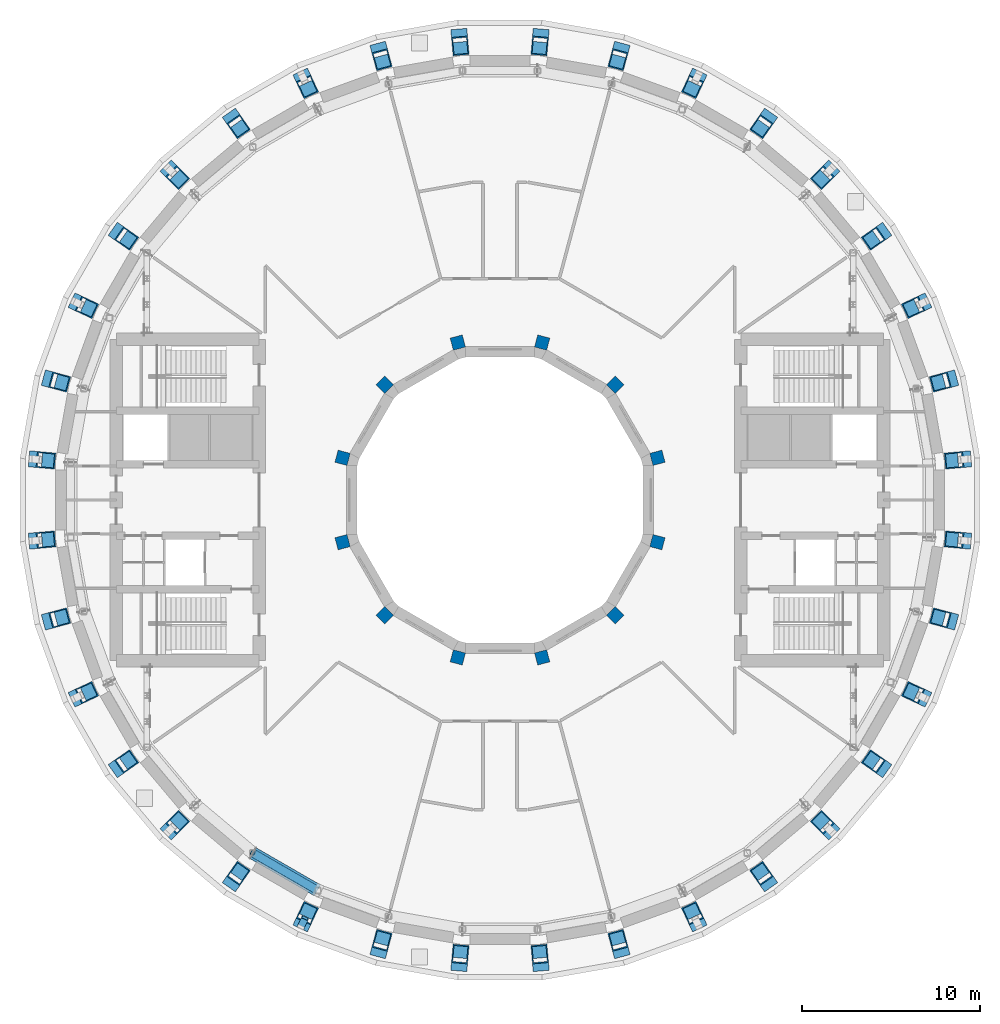
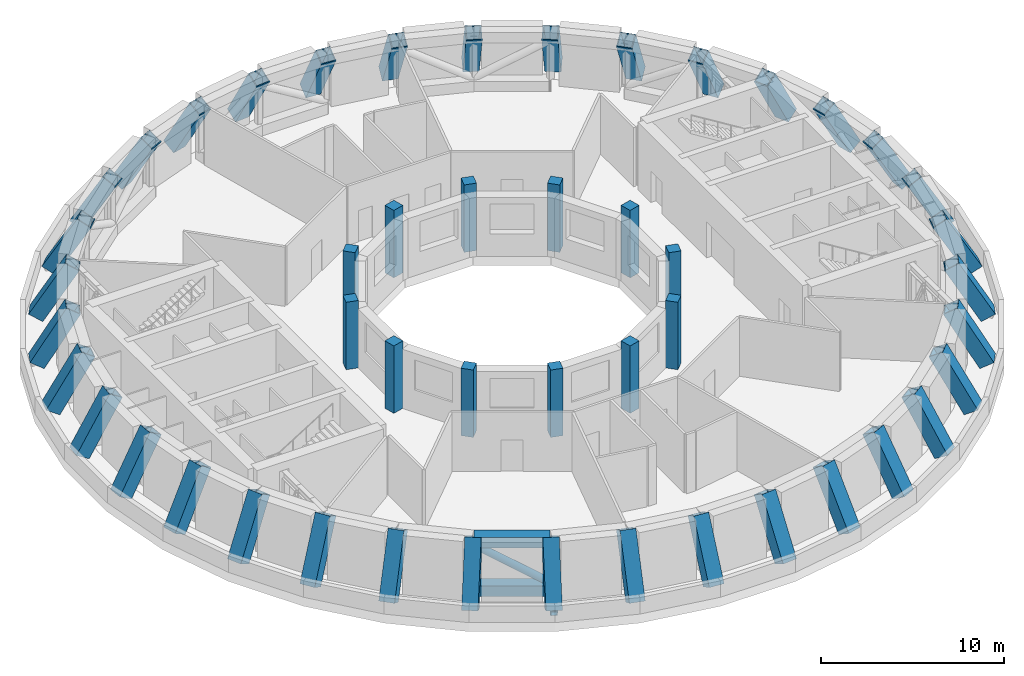
# One storey, part 1 of 20: 48 columns, 3 members, 1 beam.
"""IFC4 building model written with IfcOpenShell, lengths in metres."""

from ifc_helpers import new_model, si_unit, direction, frame, origin, origin_2d, place, context, subcontext, project, spatial, rectangle, hollow_rectangle, hollow_circle, extrude, material, material_profile, profile_set, type_object, element, save


model = new_model("IFC4")

# Units and contexts
model_context = context("Model", 3, precision=1e-05, world=origin(), true_north=direction((0.0, 1.0)))
body_context = subcontext(model_context, "Body", "Model", "MODEL_VIEW")
ifc_project = project(units=[si_unit("LENGTHUNIT", "METRE"), si_unit("AREAUNIT", "SQUARE_METRE"), si_unit("VOLUMEUNIT", "CUBIC_METRE"), si_unit("PLANEANGLEUNIT", "RADIAN"), si_unit("MASSUNIT", "GRAM", prefix="KILO")], contexts=[model_context])

# Site, building, storey
site_placement = place(None, origin())
site = spatial("IfcSite", under=ifc_project, at=site_placement, CompositionType="ELEMENT")
building_placement = place(site_placement, origin())
building = spatial("IfcBuilding", under=site, at=building_placement, Name="Saqina Gate Tower", CompositionType="ELEMENT")
storey_placement = place(building_placement, frame((0.0, 0.0, 151.300048828125)))
storey = spatial("IfcBuildingStorey", under=building, at=storey_placement, Name="L43", CompositionType="ELEMENT", Elevation=151.300048828125)

# Columns
ifc_material_1 = material(Name="Concrete C60/75", Category="concrete")
ifc_material_profile_1 = material_profile(ifc_material_1, rectangle(XDim=0.699951171875, YDim=0.699951171875, at=origin_2d()), Name="RC 700x700")
ifc_profile_set_1 = profile_set([ifc_material_profile_1], Name="Concrete C60/75")
column_type_1 = type_object("IfcColumnType", Name="STR-COL-IN-C", PredefinedType="COLUMN", material=ifc_profile_set_1)
for number, where, z_axis, x_axis, name in (
    (1, (8.821044921875, 2.363525390625, 0.0), (0.0, 0.0, 1.0), (0.965925826289, 0.258819045103, 0.0), "L43-ICL01"),
    (2, (6.45751953125, 6.45751953125, 0.0), (0.0, 0.0, 1.0), (0.707106781187, 0.707106781187, 0.0), "L43-ICL02"),
    (3, (2.363525390625, 8.821044921875, 0.0), (0.0, 0.0, 1.0), (0.258819045103, 0.965925826289, 0.0), "L43-ICL03"),
    (4, (-2.363525390625, 8.821044921875, 0.0), (0.0, 0.0, 1.0), (-0.258819045103, 0.965925826289, 0.0), "L43-ICL04"),
    (5, (-6.45751953125, 6.45751953125, 0.0), (0.0, 0.0, 1.0), (-0.707106781187, 0.707106781187, 0.0), "L43-ICL05"),
    (6, (-8.821044921875, 2.363525390625, 0.0), (0.0, 0.0, 1.0), (-0.965925826289, 0.258819045103, 0.0), "L43-ICL06"),
    (7, (-8.821044921875, -2.363525390625, 0.0), (0.0, 0.0, 1.0), (-0.965925826289, -0.258819045103, 0.0), "L43-ICL07"),
    (8, (-6.45751953125, -6.45751953125, 0.0), (0.0, 0.0, 1.0), (-0.707106781187, -0.707106781187, 0.0), "L43-ICL08"),
    (9, (-2.363525390625, -8.821044921875, 0.0), (0.0, 0.0, 1.0), (-0.258819045103, -0.965925826289, 0.0), "L43-ICL09"),
    (10, (2.363525390625, -8.821044921875, 0.0), (0.0, 0.0, 1.0), (0.258819045103, -0.965925826289, 0.0), "L43-ICL10"),
    (11, (6.45751953125, -6.45751953125, 0.0), (0.0, 0.0, 1.0), (0.707106781187, -0.707106781187, 0.0), "L43-ICL11"),
    (12, (8.821044921875, -2.363525390625, 0.0), (0.0, 0.0, 1.0), (0.965925826289, -0.258819045103, 0.0), "L43-ICL12"),
):
    element("IfcColumn", number, at=place(storey_placement, frame(where, z_axis=z_axis, x_axis=x_axis)), inside=storey, type_object=column_type_1, Name=name, PredefinedType="COLUMN", context=body_context, shape_type="SweptSolid", body=[
        extrude(rectangle(XDim=0.699951171875, YDim=0.699951171875, at=origin_2d()), origin(), (0.0, 0.0, 1.0), 4.5),
    ])
ifc_material_2 = material(Name="Steel S460", Category="steel")
ifc_material_profile_2 = material_profile(ifc_material_2, hollow_rectangle(XDim=0.89990234375, YDim=0.89990234375, WallThickness=0.06005859375, at=origin_2d()), Name="BOX 900x900x60")
ifc_profile_set_2 = profile_set([ifc_material_profile_2], Name="Steel S460")
column_type_2 = type_object("IfcColumnType", Name="STR-INCLINED COLUMN L43-BOX 900x900x60", PredefinedType="COLUMN", material=ifc_profile_set_2)
for number, where, z_axis, x_axis, name in (
    (13, (26.000732421875, 2.274658203125, 0.22314453125), (-0.493869281943, -0.043208267039, 0.868461961177), (0.087156350505, -0.99619464492, 0.0), "INCLINED COLUMN L43 01"),
    (14, (25.210693359375, 6.755126953125, 0.22314453125), (-0.478862901174, -0.128293864589, 0.868464740901), (0.258786931944, -0.965934430412, 0.0), "INCLINED COLUMN L43 02"),
):
    element("IfcColumn", number, at=place(storey_placement, frame(where, z_axis=z_axis, x_axis=x_axis)), inside=storey, type_object=column_type_2, Name=name, PredefinedType="COLUMN", context=body_context, shape_type="SweptSolid", body=[
        extrude(hollow_rectangle(XDim=0.89990234375, YDim=0.89990234375, WallThickness=0.06005859375, at=origin_2d()), origin(), (0.0, 0.0, 1.0), 4.034423828125),
    ])
column_1_placement = place(storey_placement, frame((23.654541015625, 11.0302734375, 0.22314453125), z_axis=(-0.449277787542, -0.20950965793, 0.868478654231), x_axis=(0.42263149237, -0.906301617375, 0.0)))
element("IfcColumn", 15, at=column_1_placement, inside=storey, type_object=column_type_2, Name="INCLINED COLUMN L43 03", PredefinedType="COLUMN", context=body_context, shape_type="SweptSolid", body=[
    extrude(hollow_rectangle(XDim=0.89990234375, YDim=0.89990234375, WallThickness=0.06005859375, at=origin_2d()), origin(), (0.0, 0.0, 1.0), 4.0341796875),
])
for number, where, z_axis, x_axis, name in (
    (16, (21.3798828125, 14.970458984375, 0.22314453125), (-0.406116637766, -0.284360316028, 0.868451775977), (0.573568836472, -0.819157365729, 0.0), "INCLINED COLUMN L43 04"),
    (17, (18.45556640625, 18.45556640625, 0.22314453125), (-0.35056407526, -0.35056407526, 0.868452450209), (0.707106781187, -0.707106781187, 0.0), "INCLINED COLUMN L43 05"),
    (18, (14.970458984375, 21.3798828125, 0.22314453125), (-0.284360316028, -0.406116637766, 0.868451775977), (0.819157365729, -0.573568836472, 0.0), "INCLINED COLUMN L43 06"),
):
    element("IfcColumn", number, at=place(storey_placement, frame(where, z_axis=z_axis, x_axis=x_axis)), inside=storey, type_object=column_type_2, Name=name, PredefinedType="COLUMN", context=body_context, shape_type="SweptSolid", body=[
        extrude(hollow_rectangle(XDim=0.89990234375, YDim=0.89990234375, WallThickness=0.06005859375, at=origin_2d()), origin(), (0.0, 0.0, 1.0), 4.034423828125),
    ])
column_2_placement = place(storey_placement, frame((11.0302734375, 23.654541015625, 0.22314453125), z_axis=(-0.20950965793, -0.449277787542, 0.868478654231), x_axis=(0.906301617375, -0.42263149237, 0.0)))
element("IfcColumn", 19, at=column_2_placement, inside=storey, type_object=column_type_2, Name="INCLINED COLUMN L43 07", PredefinedType="COLUMN", context=body_context, shape_type="SweptSolid", body=[
    extrude(hollow_rectangle(XDim=0.89990234375, YDim=0.89990234375, WallThickness=0.06005859375, at=origin_2d()), origin(), (0.0, 0.0, 1.0), 4.0341796875),
])
for number, where, z_axis, x_axis, name in (
    (20, (6.755126953125, 25.210693359375, 0.22314453125), (-0.128293864589, -0.478862901174, 0.868464740901), (0.965934430412, -0.258786931944, 0.0), "INCLINED COLUMN L43 08"),
    (21, (2.274658203125, 26.000732421875, 0.22314453125), (-0.043208267039, -0.493869281943, 0.868461961177), (0.99619464492, -0.087156350505, 0.0), "INCLINED COLUMN L43 09"),
    (22, (-2.274658203125, 26.000732421875, 0.22314453125), (0.043208267039, -0.493869281943, 0.868461961177), (0.99619464492, 0.087156350505, 0.0), "INCLINED COLUMN L43 10"),
    (23, (-6.755126953125, 25.210693359375, 0.22314453125), (0.128293864589, -0.478862901174, 0.868464740901), (0.965934430412, 0.258786931944, 0.0), "INCLINED COLUMN L43 11"),
):
    element("IfcColumn", number, at=place(storey_placement, frame(where, z_axis=z_axis, x_axis=x_axis)), inside=storey, type_object=column_type_2, Name=name, PredefinedType="COLUMN", context=body_context, shape_type="SweptSolid", body=[
        extrude(hollow_rectangle(XDim=0.89990234375, YDim=0.89990234375, WallThickness=0.06005859375, at=origin_2d()), origin(), (0.0, 0.0, 1.0), 4.034423828125),
    ])
column_3_placement = place(storey_placement, frame((-11.0302734375, 23.654541015625, 0.22314453125), z_axis=(0.20950965793, -0.449277787542, 0.868478654231), x_axis=(0.906301617375, 0.42263149237, 0.0)))
element("IfcColumn", 24, at=column_3_placement, inside=storey, type_object=column_type_2, Name="INCLINED COLUMN L43 12", PredefinedType="COLUMN", context=body_context, shape_type="SweptSolid", body=[
    extrude(hollow_rectangle(XDim=0.89990234375, YDim=0.89990234375, WallThickness=0.06005859375, at=origin_2d()), origin(), (0.0, 0.0, 1.0), 4.0341796875),
])
for number, where, z_axis, x_axis, name in (
    (25, (-14.970458984375, 21.3798828125, 0.22314453125), (0.284360316028, -0.406116637766, 0.868451775977), (0.819157365729, 0.573568836472, 0.0), "INCLINED COLUMN L43 13"),
    (26, (-18.45556640625, 18.45556640625, 0.22314453125), (0.35056407526, -0.35056407526, 0.868452450209), (0.707106781187, 0.707106781187, 0.0), "INCLINED COLUMN L43 14"),
    (27, (-21.3798828125, 14.970458984375, 0.22314453125), (0.406116637766, -0.284360316028, 0.868451775977), (0.573568836472, 0.819157365729, 0.0), "INCLINED COLUMN L43 15"),
):
    element("IfcColumn", number, at=place(storey_placement, frame(where, z_axis=z_axis, x_axis=x_axis)), inside=storey, type_object=column_type_2, Name=name, PredefinedType="COLUMN", context=body_context, shape_type="SweptSolid", body=[
        extrude(hollow_rectangle(XDim=0.89990234375, YDim=0.89990234375, WallThickness=0.06005859375, at=origin_2d()), origin(), (0.0, 0.0, 1.0), 4.034423828125),
    ])
column_4_placement = place(storey_placement, frame((-23.654541015625, 11.0302734375, 0.22314453125), z_axis=(0.449277787542, -0.20950965793, 0.868478654231), x_axis=(0.42263149237, 0.906301617375, 0.0)))
element("IfcColumn", 28, at=column_4_placement, inside=storey, type_object=column_type_2, Name="INCLINED COLUMN L43 16", PredefinedType="COLUMN", context=body_context, shape_type="SweptSolid", body=[
    extrude(hollow_rectangle(XDim=0.89990234375, YDim=0.89990234375, WallThickness=0.06005859375, at=origin_2d()), origin(), (0.0, 0.0, 1.0), 4.0341796875),
])
for number, where, z_axis, x_axis, name in (
    (29, (-25.210693359375, 6.755126953125, 0.22314453125), (0.478862901174, -0.128293864589, 0.868464740901), (0.258786931944, 0.965934430412, 0.0), "INCLINED COLUMN L43 17"),
    (30, (-26.000732421875, 2.274658203125, 0.22314453125), (0.493869281943, -0.043208267039, 0.868461961177), (0.087156350505, 0.99619464492, 0.0), "INCLINED COLUMN L43 18"),
    (31, (-26.000732421875, -2.274658203125, 0.22314453125), (0.493869281943, 0.043208267039, 0.868461961177), (-0.087156350505, 0.99619464492, 0.0), "INCLINED COLUMN L43 19"),
    (32, (-25.210693359375, -6.755126953125, 0.22314453125), (0.478862901174, 0.128293864589, 0.868464740901), (-0.258786931944, 0.965934430412, 0.0), "INCLINED COLUMN L43 20"),
):
    element("IfcColumn", number, at=place(storey_placement, frame(where, z_axis=z_axis, x_axis=x_axis)), inside=storey, type_object=column_type_2, Name=name, PredefinedType="COLUMN", context=body_context, shape_type="SweptSolid", body=[
        extrude(hollow_rectangle(XDim=0.89990234375, YDim=0.89990234375, WallThickness=0.06005859375, at=origin_2d()), origin(), (0.0, 0.0, 1.0), 4.034423828125),
    ])
column_5_placement = place(storey_placement, frame((-23.654541015625, -11.0302734375, 0.22314453125), z_axis=(0.449277787542, 0.20950965793, 0.868478654231), x_axis=(-0.42263149237, 0.906301617375, 0.0)))
element("IfcColumn", 33, at=column_5_placement, inside=storey, type_object=column_type_2, Name="INCLINED COLUMN L43 21", PredefinedType="COLUMN", context=body_context, shape_type="SweptSolid", body=[
    extrude(hollow_rectangle(XDim=0.89990234375, YDim=0.89990234375, WallThickness=0.06005859375, at=origin_2d()), origin(), (0.0, 0.0, 1.0), 4.0341796875),
])
for number, where, z_axis, x_axis, name in (
    (34, (-21.3798828125, -14.970458984375, 0.22314453125), (0.406116637766, 0.284360316028, 0.868451775977), (-0.573568836472, 0.819157365729, 0.0), "INCLINED COLUMN L43 22"),
    (35, (-18.45556640625, -18.45556640625, 0.22314453125), (0.35056407526, 0.35056407526, 0.868452450209), (-0.707106781187, 0.707106781187, 0.0), "INCLINED COLUMN L43 23"),
    (36, (-14.970458984375, -21.3798828125, 0.22314453125), (0.284360316028, 0.406116637766, 0.868451775977), (-0.819157365729, 0.573568836472, 0.0), "INCLINED COLUMN L43 24"),
):
    element("IfcColumn", number, at=place(storey_placement, frame(where, z_axis=z_axis, x_axis=x_axis)), inside=storey, type_object=column_type_2, Name=name, PredefinedType="COLUMN", context=body_context, shape_type="SweptSolid", body=[
        extrude(hollow_rectangle(XDim=0.89990234375, YDim=0.89990234375, WallThickness=0.06005859375, at=origin_2d()), origin(), (0.0, 0.0, 1.0), 4.034423828125),
    ])
column_6_placement = place(storey_placement, frame((-11.0302734375, -23.654541015625, 0.22314453125), z_axis=(0.20950965793, 0.449277787542, 0.868478654231), x_axis=(-0.906301617375, 0.42263149237, 0.0)))
element("IfcColumn", 37, at=column_6_placement, inside=storey, type_object=column_type_2, Name="INCLINED COLUMN L43 25", PredefinedType="COLUMN", context=body_context, shape_type="SweptSolid", body=[
    extrude(hollow_rectangle(XDim=0.89990234375, YDim=0.89990234375, WallThickness=0.06005859375, at=origin_2d()), origin(), (0.0, 0.0, 1.0), 4.0341796875),
])
for number, where, z_axis, x_axis, name in (
    (38, (-6.755126953125, -25.210693359375, 0.22314453125), (0.128293864589, 0.478862901174, 0.868464740901), (-0.965934430412, 0.258786931944, 0.0), "INCLINED COLUMN L43 26"),
    (39, (-2.274658203125, -26.000732421875, 0.22314453125), (0.043208267039, 0.493869281943, 0.868461961177), (-0.99619464492, 0.087156350505, 0.0), "INCLINED COLUMN L43 27"),
    (40, (2.274658203125, -26.000732421875, 0.22314453125), (-0.043208267039, 0.493869281943, 0.868461961177), (-0.99619464492, -0.087156350505, 0.0), "INCLINED COLUMN L43 28"),
    (41, (6.755126953125, -25.210693359375, 0.22314453125), (-0.128293864589, 0.478862901174, 0.868464740901), (-0.965934430412, -0.258786931944, 0.0), "INCLINED COLUMN L43 29"),
):
    element("IfcColumn", number, at=place(storey_placement, frame(where, z_axis=z_axis, x_axis=x_axis)), inside=storey, type_object=column_type_2, Name=name, PredefinedType="COLUMN", context=body_context, shape_type="SweptSolid", body=[
        extrude(hollow_rectangle(XDim=0.89990234375, YDim=0.89990234375, WallThickness=0.06005859375, at=origin_2d()), origin(), (0.0, 0.0, 1.0), 4.034423828125),
    ])
column_7_placement = place(storey_placement, frame((11.0302734375, -23.654541015625, 0.22314453125), z_axis=(-0.20950965793, 0.449277787542, 0.868478654231), x_axis=(-0.906301617375, -0.42263149237, 0.0)))
element("IfcColumn", 42, at=column_7_placement, inside=storey, type_object=column_type_2, Name="INCLINED COLUMN L43 30", PredefinedType="COLUMN", context=body_context, shape_type="SweptSolid", body=[
    extrude(hollow_rectangle(XDim=0.89990234375, YDim=0.89990234375, WallThickness=0.06005859375, at=origin_2d()), origin(), (0.0, 0.0, 1.0), 4.0341796875),
])
for number, where, z_axis, x_axis, name in (
    (43, (14.970458984375, -21.3798828125, 0.22314453125), (-0.284360316028, 0.406116637766, 0.868451775977), (-0.819157365729, -0.573568836472, 0.0), "INCLINED COLUMN L43 31"),
    (44, (18.45556640625, -18.45556640625, 0.22314453125), (-0.35056407526, 0.35056407526, 0.868452450209), (-0.707106781187, -0.707106781187, 0.0), "INCLINED COLUMN L43 32"),
    (45, (21.3798828125, -14.970458984375, 0.22314453125), (-0.406116637766, 0.284360316028, 0.868451775977), (-0.573568836472, -0.819157365729, 0.0), "INCLINED COLUMN L43 33"),
):
    element("IfcColumn", number, at=place(storey_placement, frame(where, z_axis=z_axis, x_axis=x_axis)), inside=storey, type_object=column_type_2, Name=name, PredefinedType="COLUMN", context=body_context, shape_type="SweptSolid", body=[
        extrude(hollow_rectangle(XDim=0.89990234375, YDim=0.89990234375, WallThickness=0.06005859375, at=origin_2d()), origin(), (0.0, 0.0, 1.0), 4.034423828125),
    ])
column_8_placement = place(storey_placement, frame((23.654541015625, -11.0302734375, 0.22314453125), z_axis=(-0.449277787542, 0.20950965793, 0.868478654231), x_axis=(-0.42263149237, -0.906301617375, 0.0)))
element("IfcColumn", 46, at=column_8_placement, inside=storey, type_object=column_type_2, Name="INCLINED COLUMN L43 34", PredefinedType="COLUMN", context=body_context, shape_type="SweptSolid", body=[
    extrude(hollow_rectangle(XDim=0.89990234375, YDim=0.89990234375, WallThickness=0.06005859375, at=origin_2d()), origin(), (0.0, 0.0, 1.0), 4.0341796875),
])
for number, where, z_axis, x_axis, name in (
    (47, (25.210693359375, -6.755126953125, 0.22314453125), (-0.478862901174, 0.128293864589, 0.868464740901), (-0.258786931944, -0.965934430412, 0.0), "INCLINED COLUMN L43 35"),
    (48, (26.000732421875, -2.274658203125, 0.22314453125), (-0.493869281943, 0.043208267039, 0.868461961177), (-0.087156350505, -0.99619464492, 0.0), "INCLINED COLUMN L43 36"),
):
    element("IfcColumn", number, at=place(storey_placement, frame(where, z_axis=z_axis, x_axis=x_axis)), inside=storey, type_object=column_type_2, Name=name, PredefinedType="COLUMN", context=body_context, shape_type="SweptSolid", body=[
        extrude(hollow_rectangle(XDim=0.89990234375, YDim=0.89990234375, WallThickness=0.06005859375, at=origin_2d()), origin(), (0.0, 0.0, 1.0), 4.034423828125),
    ])

# Members
ifc_material_3 = material(Name="Steel S460", Category="steel")
ifc_material_profile_3 = material_profile(ifc_material_3, hollow_rectangle(XDim=0.699951171875, YDim=0.699951171875, WallThickness=0.0400390625, at=origin_2d()), Name="BOX 700x700x40")
ifc_profile_set_3 = profile_set([ifc_material_profile_3], Name="Steel S460")
member_type_1 = type_object("IfcMemberType", Name="STR-BELT TRUSS L43 CHORD-BOX 700x700x40", PredefinedType="CHORD", material=ifc_profile_set_3)
for number, where, z_axis, x_axis, name in (
    (49, (-13.825439453125, -19.7978515625, 0.349853515625), (0.866032706045, -0.4999873519, 0.0), (0.4999873519, 0.866032706045, 0.0), "BELT TRUSS L43 CHORD 054"),
    (50, (-13.825439453125, -19.7978515625, 3.599853515625), (0.866032706045, -0.4999873519, 0.0), (0.4999873519, 0.866032706045, 0.0), "BELT TRUSS L43 CHORD 055"),
):
    element("IfcMember", number, at=place(storey_placement, frame(where, z_axis=z_axis, x_axis=x_axis)), inside=storey, type_object=member_type_1, Name=name, PredefinedType="CHORD", context=body_context, shape_type="SweptSolid", body=[
        extrude(hollow_rectangle(XDim=0.699951171875, YDim=0.699951171875, WallThickness=0.0400390625, at=origin_2d()), origin(), (0.0, 0.0, 1.0), 4.1484375),
    ])
ifc_material_4 = material(Name="Steel S460", Category="steel")
ifc_material_profile_4 = material_profile(ifc_material_4, hollow_circle(Radius=0.228515625, WallThickness=0.02001953125, at=origin_2d()), Name="CHS 457x20")
ifc_profile_set_4 = profile_set([ifc_material_profile_4], Name="Steel S460")
member_type_2 = type_object("IfcMemberType", Name="STR-BELT TRUSS L43 DIAGONAL-CHS 457x20", PredefinedType="BRACE", material=ifc_profile_set_4)
member_placement = place(storey_placement, frame((-13.86083984375, -19.77734375, 3.256103515625), z_axis=(0.740741335125, -0.427681122719, -0.518064794892), x_axis=(0.500012199891, 0.86601836006, 0.0)))
element("IfcMember", 51, at=member_placement, inside=storey, type_object=member_type_2, Name="BELT TRUSS L43 DIAGONAL 056", PredefinedType="BRACE", context=body_context, shape_type="SweptSolid", body=[
    extrude(hollow_circle(Radius=0.228515625, WallThickness=0.02001953125, at=origin_2d()), origin(), (0.0, 0.0, 1.0), 4.94580078125),
])

# Beam
ifc_material_5 = material(Name="Steel S460", Category="steel")
ifc_material_profile_5 = material_profile(ifc_material_5, hollow_rectangle(XDim=0.39990234375, YDim=0.39990234375, WallThickness=0.030029296875, at=origin_2d()), Name="BOX 400x400x30")
ifc_profile_set_5 = profile_set([ifc_material_profile_5], Name="Steel S460")
beam_type = type_object("IfcBeamType", Name="STR-NODE TIE BEAM L43-BOX 400x400x30", PredefinedType="BEAM", material=ifc_profile_set_5)
beam_placement = place(storey_placement, frame((-11.1572265625, -23.926513671875, 0.185302734375), z_axis=(0.39155197943, 0.839862544112, 0.37592280378), x_axis=(-0.906341825437, 0.42254525848, 0.0)))
element("IfcBeam", 52, at=beam_placement, inside=storey, type_object=beam_type, Name="NODE TIE BEAM L43 25 FOOT", PredefinedType="BEAM", context=body_context, shape_type="SweptSolid", body=[
    extrude(hollow_rectangle(XDim=0.39990234375, YDim=0.39990234375, WallThickness=0.030029296875, at=origin_2d()), origin(), (0.0, 0.0, 1.0), 0.593505859375),
])

save(model, "model.ifc")
